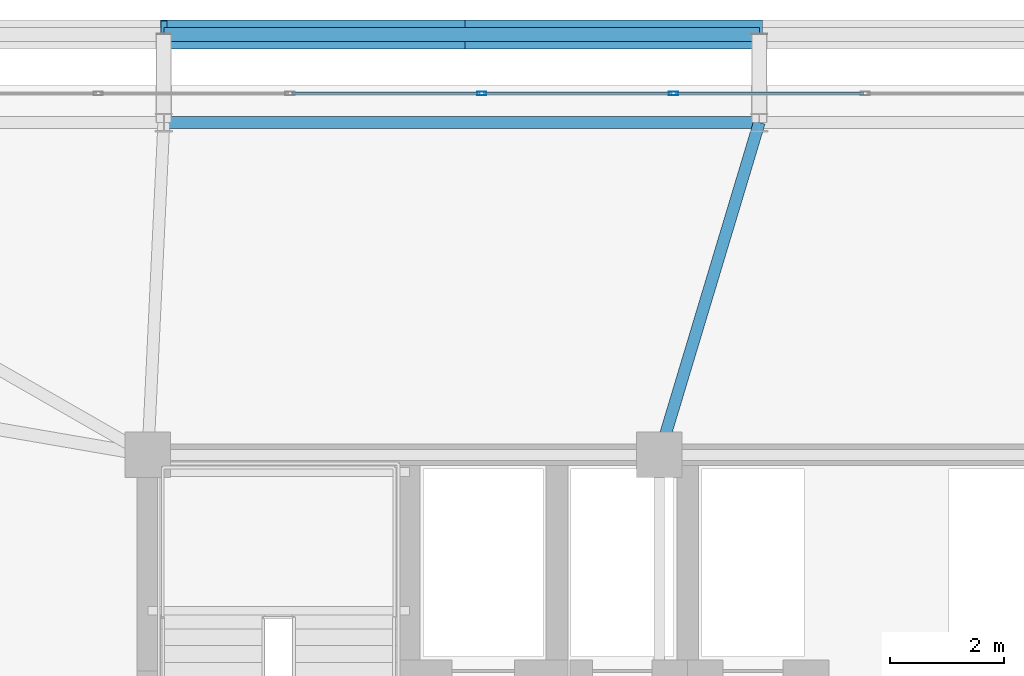
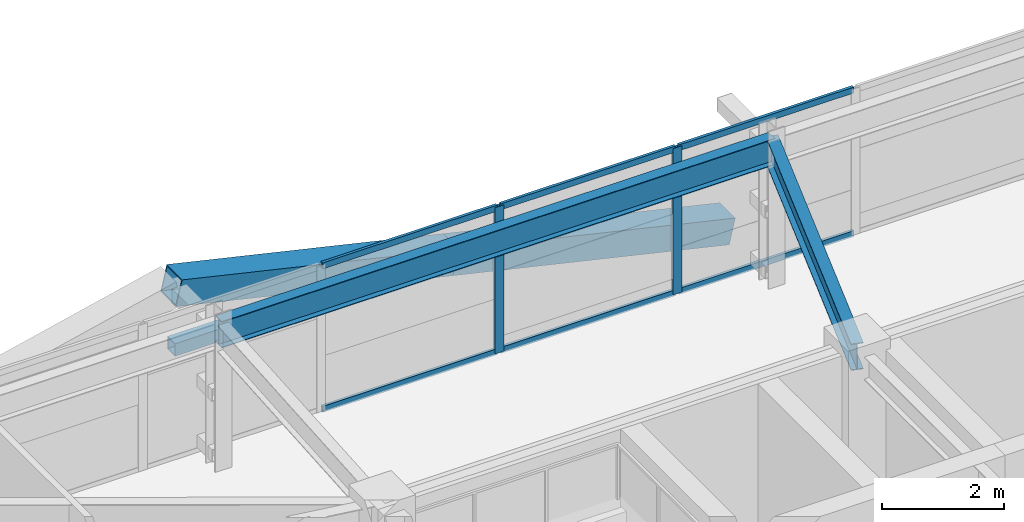
# One storey, part 36 of 59: 11 members, 2 beams, 1 element without a shape of its own.
"""IFC4 building model written with IfcOpenShell, lengths in metres."""

from ifc_helpers import new_model, si_unit, direction, frame, origin, origin_2d, place, context, subcontext, project, spatial, hollow_rectangle, i_section, extrude, source, transform, mapped, material, layer, layer_set, material_profile, profile_set, type_object, element, aggregate, save


model = new_model("IFC4")

# Units and contexts
model_context = context("Model", 3, precision=1e-05, world=origin(), true_north=direction((0.0, 1.0)))
body_context = subcontext(model_context, "Body", "Model", "MODEL_VIEW")
ifc_project = project(units=[si_unit("LENGTHUNIT", "METRE"), si_unit("AREAUNIT", "SQUARE_METRE"), si_unit("VOLUMEUNIT", "CUBIC_METRE"), si_unit("PLANEANGLEUNIT", "RADIAN"), si_unit("MASSUNIT", "GRAM", prefix="KILO")], contexts=[model_context])

# Site, building, storey
site_placement = place(None, origin())
site = spatial("IfcSite", under=ifc_project, at=site_placement, CompositionType="ELEMENT")
building_placement = place(site_placement, origin())
building = spatial("IfcBuilding", under=site, at=building_placement, Name="Taldren Reach Tower", CompositionType="ELEMENT")
storey_placement = place(building_placement, frame((0.0, 0.0, 23.10009765625)))
storey = spatial("IfcBuildingStorey", under=building, at=storey_placement, Name="L06", CompositionType="ELEMENT", Elevation=23.10009765625)

# Beams
ifc_material_1 = material(Name="Steel Gr 350 (350PLUS)", Category="steel")
ifc_material_profile_1 = material_profile(ifc_material_1, i_section(OverallWidth=0.208984375, OverallDepth=0.528076171875, WebThickness=0.009521484375, FlangeThickness=0.01318359375, at=origin_2d()), Name="530UB82.0")
ifc_profile_set_1 = profile_set([ifc_material_profile_1], Name="Steel Gr 350 (350PLUS)")
beam_type_1 = type_object("IfcBeamType", Name="SP-UB530B", PredefinedType="SPANDREL", material=ifc_profile_set_1)
shared_shape_1 = source(origin(), body_context, "Body", "SweptSolid", [
    extrude(i_section(OverallWidth=0.208984375, OverallDepth=0.528076171875, WebThickness=0.009521484375, FlangeThickness=0.01318359375, at=origin_2d()), origin(), (0.0, 0.0, 1.0), 10.47998046875),
])
beam_1_placement = place(storey_placement, frame((29.760009765625, 37.85009765625, 2.666015625), z_axis=(-1.0, 0.0, 0.0), x_axis=(0.0, -1.0, 0.0)))
element("IfcBeam", 1, at=beam_1_placement, inside=storey, type_object=beam_type_1, Name="Perimeter spandrel B1 N3-N2 L06", PredefinedType="SPANDREL", context=body_context, shape_type="MappedRepresentation", body=[
    mapped(shared_shape_1, transform((0.0, 0.0, 0.0), scale=1.0)),
])
ifc_material_profile_2 = material_profile(ifc_material_1, i_section(OverallWidth=0.208984375, OverallDepth=0.532958984375, WebThickness=0.01025390625, FlangeThickness=0.015625, at=origin_2d()), Name="530UB92.4")
ifc_profile_set_2 = profile_set([ifc_material_profile_2], Name="Steel Gr 350 (350PLUS)")
beam_type_2 = type_object("IfcBeamType", Name="BM-UB530A", PredefinedType="BEAM", material=ifc_profile_set_2)
shared_shape_2 = source(origin(), body_context, "Body", "SweptSolid", [
    extrude(i_section(OverallWidth=0.208984375, OverallDepth=0.532958984375, WebThickness=0.01025390625, FlangeThickness=0.015625, at=origin_2d()), origin(), (0.0, 0.0, 1.0), 6.109130859375),
])
beam_2_placement = place(storey_placement, frame((28.0, 32.0, 2.663330078125), z_axis=(0.288095735745, 0.957601611864, 0.0), x_axis=(-0.957601611864, 0.288095735745, 0.0)))
element("IfcBeam", 2, at=beam_2_placement, inside=storey, type_object=beam_type_2, Name="Primary floor girder B1-N3 L06", PredefinedType="BEAM", context=body_context, shape_type="MappedRepresentation", body=[
    mapped(shared_shape_2, transform((0.0, 0.0, 0.0), scale=1.0)),
])

# Members
ifc_material_2 = material(Name="Steel Gr 450 (C450L0)", Category="steel")
ifc_material_profile_3 = material_profile(ifc_material_2, hollow_rectangle(XDim=0.510009765625, YDim=0.510009765625, WallThickness=0.02001953125, at=origin_2d()), Name="510x510x20.0SHS")
ifc_profile_set_3 = profile_set([ifc_material_profile_3], Name="Steel Gr 450 (C450L0)")
member_type_1 = type_object("IfcMemberType", Name="MB-EXO508", PredefinedType="BRACE", material=ifc_profile_set_3)
shared_shape_3 = source(origin(), body_context, "Body", "SweptSolid", [
    extrude(hollow_rectangle(XDim=0.510009765625, YDim=0.510009765625, WallThickness=0.02001953125, at=origin_2d()), origin(), (0.0, 0.0, 1.0), 5.37890625),
])
for number, where, z_axis, x_axis, name in (
    (3, (29.760009765625, 39.39990234375, 0.219970703125), (-0.974161966843, 0.0, 0.225850531007), (0.0, -1.0, 0.0), "Exoskeleton Diagrid Brace B1-N2 L06"),
    (4, (24.52001953125, 39.39990234375, 1.434814453125), (-0.97415197996, 0.0, 0.225893603143), (0.0, -1.0, 0.0), "Exoskeleton Diagrid Brace B1-N2 L06"),
):
    element("IfcMember", number, at=place(storey_placement, frame(where, z_axis=z_axis, x_axis=x_axis)), inside=storey, type_object=member_type_1, Name=name, PredefinedType="BRACE", context=body_context, shape_type="MappedRepresentation", body=[
        mapped(shared_shape_3, transform((0.0, 0.0, 0.0), scale=1.0)),
    ])
ifc_material_3 = material(Name="Steel Gr 350 (C350L0)", Category="steel")
ifc_material_profile_4 = material_profile(ifc_material_3, hollow_rectangle(XDim=0.25, YDim=0.25, WallThickness=0.010009765625, at=origin_2d()), Name="250x250x10.0SHS")
ifc_profile_set_4 = profile_set([ifc_material_profile_4], Name="Steel Gr 350 (C350L0)")
member_type_2 = type_object("IfcMemberType", Name="MB-POST250", PredefinedType="POST", material=ifc_profile_set_4)
shared_shape_4 = source(origin(), body_context, "Body", "SweptSolid", [
    extrude(hollow_rectangle(XDim=0.25, YDim=0.25, WallThickness=0.010009765625, at=origin_2d()), origin(), (0.0, 0.0, 1.0), 10.47998046875),
])
member_1_placement = place(storey_placement, frame((19.280029296875, 39.39990234375, 1.434814453125), z_axis=(1.0, 0.0, 0.0), x_axis=(0.0, 1.0, 0.0)))
element("IfcMember", 5, at=member_1_placement, inside=storey, type_object=member_type_2, Name="Exoskeleton mid-height ring chord B1-N2 L06", PredefinedType="POST", context=body_context, shape_type="MappedRepresentation", body=[
    mapped(shared_shape_4, transform((0.0, 0.0, 0.0), scale=1.0)),
])

# Curtain wall, members
ifc_material_4 = material(Name="Aluminium and Low-E Glass Unitised System", Category="aluminium")
ifc_layer = layer(ifc_material_4, 0.159912109375)
ifc_layer_set = layer_set([ifc_layer], Name="Aluminium and Low-E Glass Unitised System")
curtain_wall_type = type_object("IfcCurtainWallType", Name="CW-SYS-2", PredefinedType="NOTDEFINED", material=ifc_layer_set)
curtain_wall_placement = place(storey_placement, origin())
curtain_wall = element("IfcCurtainWall", 6, at=curtain_wall_placement, inside=storey, type_object=curtain_wall_type, Name="Unitised curtain wall CW-L06-N", PredefinedType="NOTDEFINED")
ifc_material_5 = material(Name="Anodised Aluminium 6063-T6", Category="aluminium")
ifc_material_profile_5 = material_profile(ifc_material_5, hollow_rectangle(XDim=0.06494140625, YDim=0.1650390625, WallThickness=0.00390625, at=origin_2d()), Name="ALU-165x65x4RHS")
ifc_profile_set_5 = profile_set([ifc_material_profile_5], Name="Anodised Aluminium 6063-T6")
member_type_3 = type_object("IfcMemberType", Name="CW-MUL-165", PredefinedType="MULLION", material=ifc_profile_set_5)
shared_shape_5 = source(origin(), body_context, "Body", "SweptSolid", [
    extrude(hollow_rectangle(XDim=0.06494140625, YDim=0.1650390625, WallThickness=0.00390625, at=origin_2d()), origin(), (0.0, 0.0, 1.0), 2.929931640625),
])
member_2_placement = place(storey_placement, frame((28.25, 38.360107421875, 0.0), z_axis=(0.0, 0.0, 1.0), x_axis=(0.0, -1.0, 0.0)))
member_2 = element("IfcMember", 7, at=member_2_placement, type_object=member_type_3, Name="CW-2 mullion 11", PredefinedType="MULLION", context=body_context, shape_type="MappedRepresentation", body=[
    mapped(shared_shape_5, transform((0.0, 0.0, 0.0), scale=1.0)),
])
member_3_placement = place(storey_placement, frame((24.875, 38.360107421875, 0.0), z_axis=(0.0, 0.0, 1.0), x_axis=(0.0, -1.0, 0.0)))
member_3 = element("IfcMember", 8, at=member_3_placement, type_object=member_type_3, Name="CW-2 mullion 12", PredefinedType="MULLION", context=body_context, shape_type="MappedRepresentation", body=[
    mapped(shared_shape_5, transform((0.0, 0.0, 0.0), scale=1.0)),
])
ifc_material_profile_6 = material_profile(ifc_material_5, hollow_rectangle(XDim=0.054931640625, YDim=0.1201171875, WallThickness=0.0029296875, at=origin_2d()), Name="ALU-120x55x3RHS")
ifc_profile_set_6 = profile_set([ifc_material_profile_6], Name="Anodised Aluminium 6063-T6")
member_type_4 = type_object("IfcMemberType", Name="CW-TRN-135", PredefinedType="USERDEFINED", material=ifc_profile_set_6)
shared_shape_6 = source(origin(), body_context, "Body", "SweptSolid", [
    extrude(hollow_rectangle(XDim=0.054931640625, YDim=0.1201171875, WallThickness=0.0029296875, at=origin_2d()), origin(), (0.0, 0.0, 1.0), 3.31005859375),
])
member_4_placement = place(storey_placement, frame((31.592529296875, 38.360107421875, 0.02734375), z_axis=(-1.0, 0.0, 0.0), x_axis=(0.0, -1.0, 0.0)))
member_4 = element("IfcMember", 9, at=member_4_placement, type_object=member_type_4, Name="CW-2 transom 10.1", ObjectType="TRANSOM", PredefinedType="USERDEFINED", context=body_context, shape_type="MappedRepresentation", body=[
    mapped(shared_shape_6, transform((0.0, 0.0, 0.0), scale=1.0)),
])
member_5_placement = place(storey_placement, frame((31.592529296875, 38.360107421875, 2.90234375), z_axis=(-1.0, 0.0, 0.0), x_axis=(0.0, -1.0, 0.0)))
member_5 = element("IfcMember", 10, at=member_5_placement, type_object=member_type_4, Name="CW-2 transom 10.2", ObjectType="TRANSOM", PredefinedType="USERDEFINED", context=body_context, shape_type="MappedRepresentation", body=[
    mapped(shared_shape_6, transform((0.0, 0.0, 0.0), scale=1.0)),
])
member_6_placement = place(storey_placement, frame((28.217529296875, 38.360107421875, 0.02734375), z_axis=(-1.0, 0.0, 0.0), x_axis=(0.0, -1.0, 0.0)))
member_6 = element("IfcMember", 11, at=member_6_placement, type_object=member_type_4, Name="CW-2 transom 11.1", ObjectType="TRANSOM", PredefinedType="USERDEFINED", context=body_context, shape_type="MappedRepresentation", body=[
    mapped(shared_shape_6, transform((0.0, 0.0, 0.0), scale=1.0)),
])
member_7_placement = place(storey_placement, frame((28.217529296875, 38.360107421875, 2.90234375), z_axis=(-1.0, 0.0, 0.0), x_axis=(0.0, -1.0, 0.0)))
member_7 = element("IfcMember", 12, at=member_7_placement, type_object=member_type_4, Name="CW-2 transom 11.2", ObjectType="TRANSOM", PredefinedType="USERDEFINED", context=body_context, shape_type="MappedRepresentation", body=[
    mapped(shared_shape_6, transform((0.0, 0.0, 0.0), scale=1.0)),
])
member_8_placement = place(storey_placement, frame((24.842529296875, 38.360107421875, 0.02734375), z_axis=(-1.0, 0.0, 0.0), x_axis=(0.0, -1.0, 0.0)))
member_8 = element("IfcMember", 13, at=member_8_placement, type_object=member_type_4, Name="CW-2 transom 12.1", ObjectType="TRANSOM", PredefinedType="USERDEFINED", context=body_context, shape_type="MappedRepresentation", body=[
    mapped(shared_shape_6, transform((0.0, 0.0, 0.0), scale=1.0)),
])
member_9_placement = place(storey_placement, frame((24.842529296875, 38.360107421875, 2.90234375), z_axis=(-1.0, 0.0, 0.0), x_axis=(0.0, -1.0, 0.0)))
member_9 = element("IfcMember", 14, at=member_9_placement, type_object=member_type_4, Name="CW-2 transom 12.2", ObjectType="TRANSOM", PredefinedType="USERDEFINED", context=body_context, shape_type="MappedRepresentation", body=[
    mapped(shared_shape_6, transform((0.0, 0.0, 0.0), scale=1.0)),
])
aggregate(curtain_wall, [member_2, member_3, member_4, member_5, member_6, member_7, member_8, member_9])

save(model, "model.ifc")
